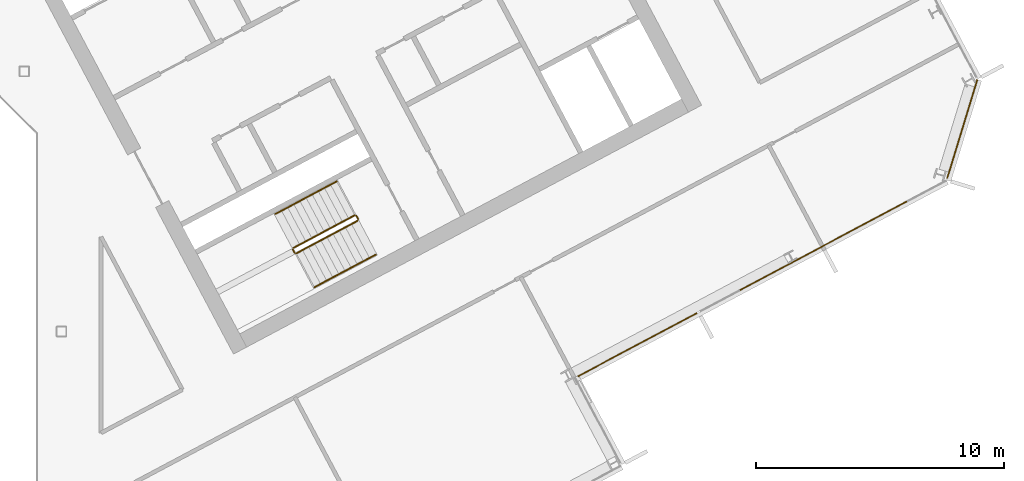
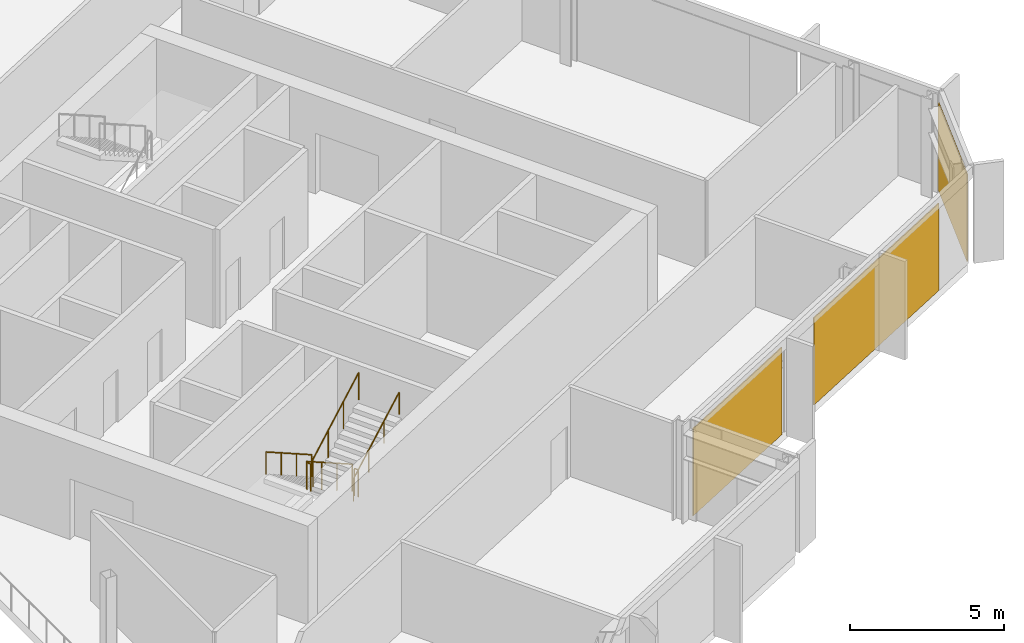
# One storey, part 25 of 27: 6 railings, 3 coverings, 2 elements without a shape of their own.
"""IFC4 building model written with IfcOpenShell, lengths in metres."""

from ifc_helpers import new_model, si_unit, direction, frame, origin, origin_2d, place, context, subcontext, project, spatial, polyline, rectangle, outline, extrude, material, layer, layer_set, type_object, element, aggregate, save


model = new_model("IFC4")

# Units and contexts
model_context = context("Model", 3, precision=1e-05, world=origin(), true_north=direction((0.0, 1.0)))
body_context = subcontext(model_context, "Body", "Model", "MODEL_VIEW")
ifc_project = project(units=[si_unit("LENGTHUNIT", "METRE"), si_unit("AREAUNIT", "SQUARE_METRE"), si_unit("VOLUMEUNIT", "CUBIC_METRE"), si_unit("PLANEANGLEUNIT", "RADIAN"), si_unit("MASSUNIT", "GRAM", prefix="KILO")], contexts=[model_context])

# Site, building, storey
site_placement = place(None, origin())
site = spatial("IfcSite", under=ifc_project, at=site_placement, CompositionType="ELEMENT")
building_placement = place(site_placement, origin())
building = spatial("IfcBuilding", under=site, at=building_placement, Name="Cormorant Relay Tower", CompositionType="ELEMENT")
storey_placement = place(building_placement, frame((0.0, 0.0, 240.300048828125)))
storey = spatial("IfcBuildingStorey", under=building, at=storey_placement, Name="L53", CompositionType="ELEMENT", Elevation=240.300048828125)

# Curtain wall, coverings
ifc_material_1 = material(Name="Aluminium 6063-T6 anodised bronze", Category="aluminium")
ifc_layer_1 = layer(ifc_material_1, 0.199951171875)
ifc_layer_set_1 = layer_set([ifc_layer_1], Name="CW1 unitised bronze curtain wall with vertical fins")
curtain_wall_type = type_object("IfcCurtainWallType", Name="CW1 unitised bronze curtain wall with vertical fins", PredefinedType="NOTDEFINED", material=ifc_layer_set_1)
curtain_wall_1_placement = place(storey_placement, origin())
curtain_wall_1 = element("IfcCurtainWall", 1, at=curtain_wall_1_placement, inside=storey, type_object=curtain_wall_type, Name="CW1 curtain wall 4", PredefinedType="NOTDEFINED")
ifc_material_2 = material(Name="Pale bronze anodised aluminium insulated panel", Category="aluminium")
ifc_layer_2 = layer(ifc_material_2, 0.0400390625)
ifc_layer_set_2 = layer_set([ifc_layer_2], Name="CW1 pale bronze insulated panel 40")
covering_type = type_object("IfcCoveringType", Name="CW1 pale bronze insulated panel 40", PredefinedType="CLADDING", material=ifc_layer_set_2)
covering_1_placement = place(storey_placement, frame((35.247802734375, -0.534912109375, 0.0), z_axis=(0.0, 0.0, 1.0), x_axis=(0.882947592859, 0.469471562786, 0.0)))
covering_1 = element("IfcCovering", 2, at=covering_1_placement, type_object=covering_type, Name="CW1 panel S00", PredefinedType="CLADDING", context=body_context, shape_type="SweptSolid", body=[
    extrude(rectangle(XDim=5.441650390625, YDim=0.0400390625, at=origin_2d()), origin(), (0.0, 0.0, 1.0), 3.449951171875),
])
covering_2_placement = place(storey_placement, frame((42.752685546875, 3.455810546875, 0.0), z_axis=(0.0, 0.0, 1.0), x_axis=(0.882947592859, 0.469471562786, 0.0)))
covering_2 = element("IfcCovering", 3, at=covering_2_placement, type_object=covering_type, Name="CW1 panel S02", PredefinedType="CLADDING", context=body_context, shape_type="SweptSolid", body=[
    extrude(rectangle(XDim=7.658203125, YDim=0.0400390625, at=origin_2d()), origin(), (0.0, 0.0, 1.0), 3.449951171875),
])
aggregate(curtain_wall_1, [covering_1, covering_2])

# Curtain wall, covering
curtain_wall_2_placement = place(storey_placement, origin())
curtain_wall_2 = element("IfcCurtainWall", 4, at=curtain_wall_2_placement, inside=storey, type_object=curtain_wall_type, Name="CW1 curtain wall 5", PredefinedType="NOTDEFINED")
covering_3_placement = place(storey_placement, frame((48.364013671875, 8.1748046875, 0.0), z_axis=(0.0, 0.0, 1.0), x_axis=(0.292371704723, 0.956304755963, 0.0)))
covering_3 = element("IfcCovering", 5, at=covering_3_placement, type_object=covering_type, Name="CW1 panel S00", PredefinedType="CLADDING", context=body_context, shape_type="SweptSolid", body=[
    extrude(rectangle(XDim=4.16748046875, YDim=0.0400390625, at=origin_2d()), origin(), (0.0, 0.0, 1.0), 3.449951171875),
])
aggregate(curtain_wall_2, [covering_3])

# Railings
ifc_material_3 = material(Name="Steel ASTM A572 Grade 50 (Fy 345 MPa)", Category="steel")
railing_type_1 = type_object("IfcRailingType", Name="Stair guard 1100", PredefinedType="GUARDRAIL", material=ifc_material_3)
railing_1_placement = place(storey_placement, frame((23.83837890625, 4.6904296875, 0.17724609375)))
element("IfcRailing", 6, at=railing_1_placement, inside=storey, type_object=railing_type_1, Name="L53 B1 stair guard 1", PredefinedType="GUARDRAIL", context=body_context, shape_type="SweptSolid", body=[
    extrude(outline(polyline([(0.022216796875, 0.00927734375), (0.00927734375, 0.022216796875), (-0.00927734375, 0.022216796875), (-0.022216796875, 0.00927734375), (-0.022216796875, -0.00927734375), (-0.00927734375, -0.022216796875), (0.00927734375, -0.022216796875), (0.022216796875, -0.00927734375), (0.022216796875, 0.00927734375)])), frame((0.0, 0.0, 1.076171875), z_axis=(-0.746033882577, -0.396627473466, 0.534901947407), x_axis=(0.469429322983, -0.882970050864, 0.0)), (0.0, 0.0, 1.0), 3.31396484375),
    extrude(outline(polyline([(0.019287109375, 0.008056640625), (0.008056640625, 0.019287109375), (-0.008056640625, 0.019287109375), (-0.019287109375, 0.008056640625), (-0.019287109375, -0.008056640625), (-0.008056640625, -0.019287109375), (0.008056640625, -0.019287109375), (0.019287109375, -0.008056640625), (0.019287109375, 0.008056640625)])), origin(), (0.0, 0.0, 1.0), 1.052001953125),
    extrude(outline(polyline([(0.019287109375, 0.008056640625), (0.008056640625, 0.019287109375), (-0.008056640625, 0.019287109375), (-0.019287109375, 0.008056640625), (-0.019287109375, -0.008056640625), (-0.008056640625, -0.019287109375), (0.008056640625, -0.019287109375), (0.019287109375, -0.008056640625), (0.019287109375, 0.008056640625)])), frame((-0.82421875, -0.438232421875, 0.5908203125)), (0.0, 0.0, 1.0), 1.052001953125),
    extrude(outline(polyline([(0.019287109375, 0.008056640625), (0.008056640625, 0.019287109375), (-0.008056640625, 0.019287109375), (-0.019287109375, 0.008056640625), (-0.019287109375, -0.008056640625), (-0.008056640625, -0.019287109375), (0.008056640625, -0.019287109375), (0.019287109375, -0.008056640625), (0.019287109375, 0.008056640625)])), frame((-1.648193359375, -0.876220703125, 1.181884765625)), (0.0, 0.0, 1.0), 1.052001953125),
    extrude(outline(polyline([(0.019287109375, 0.008056640625), (0.008056640625, 0.019287109375), (-0.008056640625, 0.019287109375), (-0.019287109375, 0.008056640625), (-0.019287109375, -0.008056640625), (-0.008056640625, -0.019287109375), (0.008056640625, -0.019287109375), (0.019287109375, -0.008056640625), (0.019287109375, 0.008056640625)])), frame((-2.472412109375, -1.314453125, 1.772705078125)), (0.0, 0.0, 1.0), 1.052001953125),
])
railing_2_placement = place(storey_placement, frame((21.345458984375, 3.308349609375, 1.949951171875)))
element("IfcRailing", 7, at=railing_2_placement, inside=storey, type_object=railing_type_1, Name="L53 B1 stair guard 2", PredefinedType="GUARDRAIL", context=body_context, shape_type="SweptSolid", body=[
    extrude(outline(polyline([(0.022216796875, 0.00927734375), (0.00927734375, 0.022216796875), (-0.00927734375, 0.022216796875), (-0.022216796875, 0.00927734375), (-0.022216796875, -0.00927734375), (-0.00927734375, -0.022216796875), (0.00927734375, -0.022216796875), (0.022216796875, -0.00927734375), (0.022216796875, 0.00927734375)])), frame((0.0, 0.0, 1.076171875), z_axis=(0.46856034887, -0.8834314911, 0.0), x_axis=(0.8834314911, 0.46856034887, 0.0)), (0.0, 0.0, 1.0), 0.150146484375),
    extrude(outline(polyline([(0.019287109375, 0.008056640625), (0.008056640625, 0.019287109375), (-0.008056640625, 0.019287109375), (-0.019287109375, 0.008056640625), (-0.019287109375, -0.008056640625), (-0.008056640625, -0.019287109375), (0.008056640625, -0.019287109375), (0.019287109375, -0.008056640625), (0.019287109375, 0.008056640625)])), origin(), (0.0, 0.0, 1.0), 1.052001953125),
    extrude(outline(polyline([(0.019287109375, 0.008056640625), (0.008056640625, 0.019287109375), (-0.008056640625, 0.019287109375), (-0.019287109375, 0.008056640625), (-0.019287109375, -0.008056640625), (-0.008056640625, -0.019287109375), (0.008056640625, -0.019287109375), (0.019287109375, -0.008056640625), (0.019287109375, 0.008056640625)])), frame((0.0703125, -0.132568359375, 0.0)), (0.0, 0.0, 1.0), 1.052001953125),
])
railing_3_placement = place(storey_placement, frame((21.4833984375, 3.1552734375, 2.127197265625)))
element("IfcRailing", 8, at=railing_3_placement, inside=storey, type_object=railing_type_1, Name="L53 B1 stair guard 3", PredefinedType="GUARDRAIL", context=body_context, shape_type="SweptSolid", body=[
    extrude(outline(polyline([(0.022216796875, 0.00927734375), (0.00927734375, 0.022216796875), (-0.00927734375, 0.022216796875), (-0.022216796875, 0.00927734375), (-0.022216796875, -0.00927734375), (-0.00927734375, -0.022216796875), (0.00927734375, -0.022216796875), (0.022216796875, -0.00927734375), (0.022216796875, 0.00927734375)])), frame((0.0, 0.0, 1.076171875), z_axis=(0.746001213114, 0.396649272309, 0.534931345884), x_axis=(-0.469465464807, 0.882950835185, 0.0)), (0.0, 0.0, 1.0), 3.31396484375),
    extrude(outline(polyline([(0.019287109375, 0.008056640625), (0.008056640625, 0.019287109375), (-0.008056640625, 0.019287109375), (-0.019287109375, 0.008056640625), (-0.019287109375, -0.008056640625), (-0.008056640625, -0.019287109375), (0.008056640625, -0.019287109375), (0.019287109375, -0.008056640625), (0.019287109375, 0.008056640625)])), origin(), (0.0, 0.0, 1.0), 1.052001953125),
    extrude(outline(polyline([(0.019287109375, 0.008056640625), (0.008056640625, 0.019287109375), (-0.008056640625, 0.019287109375), (-0.019287109375, 0.008056640625), (-0.019287109375, -0.008056640625), (-0.008056640625, -0.019287109375), (0.008056640625, -0.019287109375), (0.019287109375, -0.008056640625), (0.019287109375, 0.008056640625)])), frame((0.823974609375, 0.438232421875, 0.5908203125)), (0.0, 0.0, 1.0), 1.052001953125),
    extrude(outline(polyline([(0.019287109375, 0.008056640625), (0.008056640625, 0.019287109375), (-0.008056640625, 0.019287109375), (-0.019287109375, 0.008056640625), (-0.019287109375, -0.008056640625), (-0.008056640625, -0.019287109375), (0.008056640625, -0.019287109375), (0.019287109375, -0.008056640625), (0.019287109375, 0.008056640625)])), frame((1.648193359375, 0.876220703125, 1.181884765625)), (0.0, 0.0, 1.0), 1.052001953125),
    extrude(outline(polyline([(0.019287109375, 0.008056640625), (0.008056640625, 0.019287109375), (-0.008056640625, 0.019287109375), (-0.019287109375, 0.008056640625), (-0.019287109375, -0.008056640625), (-0.008056640625, -0.019287109375), (0.008056640625, -0.019287109375), (0.019287109375, -0.008056640625), (0.019287109375, 0.008056640625)])), frame((2.47216796875, 1.314453125, 1.772705078125)), (0.0, 0.0, 1.0), 1.052001953125),
])
railing_4_placement = place(storey_placement, frame((23.906005859375, 4.669677734375, 0.0)))
element("IfcRailing", 9, at=railing_4_placement, inside=storey, type_object=railing_type_1, Name="L53 B1 stair guard 4", PredefinedType="GUARDRAIL", context=body_context, shape_type="SweptSolid", body=[
    extrude(outline(polyline([(0.022216796875, 0.00927734375), (0.00927734375, 0.022216796875), (-0.00927734375, 0.022216796875), (-0.022216796875, 0.00927734375), (-0.022216796875, -0.00927734375), (-0.00927734375, -0.022216796875), (0.00927734375, -0.022216796875), (0.022216796875, -0.00927734375), (0.022216796875, 0.00927734375)])), frame((0.0, 0.0, 1.076171875), z_axis=(0.469234640946, -0.883073525669, 0.0), x_axis=(0.883073525669, 0.469234640946, 0.0)), (0.0, 0.0, 1.0), 0.14990234375),
    extrude(outline(polyline([(0.019287109375, 0.008056640625), (0.008056640625, 0.019287109375), (-0.008056640625, 0.019287109375), (-0.019287109375, 0.008056640625), (-0.019287109375, -0.008056640625), (-0.008056640625, -0.019287109375), (0.008056640625, -0.019287109375), (0.019287109375, -0.008056640625), (0.019287109375, 0.008056640625)])), origin(), (0.0, 0.0, 1.0), 1.052001953125),
    extrude(outline(polyline([(0.019287109375, 0.008056640625), (0.008056640625, 0.019287109375), (-0.008056640625, 0.019287109375), (-0.019287109375, 0.008056640625), (-0.019287109375, -0.008056640625), (-0.008056640625, -0.019287109375), (0.008056640625, -0.019287109375), (0.019287109375, -0.008056640625), (0.019287109375, 0.008056640625)])), frame((0.0703125, -0.13232421875, 0.0)), (0.0, 0.0, 1.0), 1.052001953125),
])
ifc_material_4 = material(Name="Steel ASTM A572 Grade 50 (Fy 345 MPa)", Category="steel")
railing_type_2 = type_object("IfcRailingType", Name="Stair handrail 900", PredefinedType="HANDRAIL", material=ifc_material_4)
railing_5_placement = place(storey_placement, frame((23.110595703125, 6.05908203125, 0.17724609375)))
element("IfcRailing", 10, at=railing_5_placement, inside=storey, type_object=railing_type_2, Name="L53 B1 stair handrail 1", PredefinedType="HANDRAIL", context=body_context, shape_type="SweptSolid", body=[
    extrude(outline(polyline([(0.022216796875, 0.00927734375), (0.00927734375, 0.022216796875), (-0.00927734375, 0.022216796875), (-0.022216796875, 0.00927734375), (-0.022216796875, -0.00927734375), (-0.00927734375, -0.022216796875), (0.00927734375, -0.022216796875), (0.022216796875, -0.00927734375), (0.022216796875, 0.00927734375)])), frame((0.0, 0.0, 0.8759765625), z_axis=(-0.745979412481, -0.396711350603, 0.534915713414), x_axis=(0.469533439143, -0.882914689835, 0.0)), (0.0, 0.0, 1.0), 3.31396484375),
    extrude(outline(polyline([(0.019287109375, 0.008056640625), (0.008056640625, 0.019287109375), (-0.008056640625, 0.019287109375), (-0.019287109375, 0.008056640625), (-0.019287109375, -0.008056640625), (-0.008056640625, -0.019287109375), (0.008056640625, -0.019287109375), (0.019287109375, -0.008056640625), (0.019287109375, 0.008056640625)])), origin(), (0.0, 0.0, 1.0), 0.851806640625),
    extrude(outline(polyline([(0.019287109375, 0.008056640625), (0.008056640625, 0.019287109375), (-0.008056640625, 0.019287109375), (-0.019287109375, 0.008056640625), (-0.019287109375, -0.008056640625), (-0.008056640625, -0.019287109375), (0.008056640625, -0.019287109375), (0.019287109375, -0.008056640625), (0.019287109375, 0.008056640625)])), frame((-0.823974609375, -0.438232421875, 0.5908203125)), (0.0, 0.0, 1.0), 0.851806640625),
    extrude(outline(polyline([(0.019287109375, 0.008056640625), (0.008056640625, 0.019287109375), (-0.008056640625, 0.019287109375), (-0.019287109375, 0.008056640625), (-0.019287109375, -0.008056640625), (-0.008056640625, -0.019287109375), (0.008056640625, -0.019287109375), (0.019287109375, -0.008056640625), (0.019287109375, 0.008056640625)])), frame((-1.648193359375, -0.87646484375, 1.181884765625)), (0.0, 0.0, 1.0), 0.851806640625),
    extrude(outline(polyline([(0.019287109375, 0.008056640625), (0.008056640625, 0.019287109375), (-0.008056640625, 0.019287109375), (-0.019287109375, 0.008056640625), (-0.019287109375, -0.008056640625), (-0.008056640625, -0.019287109375), (0.008056640625, -0.019287109375), (0.019287109375, -0.008056640625), (0.019287109375, 0.008056640625)])), frame((-2.47216796875, -1.314697265625, 1.772705078125)), (0.0, 0.0, 1.0), 0.851806640625),
])
railing_6_placement = place(storey_placement, frame((22.211181640625, 1.78662109375, 2.127197265625)))
element("IfcRailing", 11, at=railing_6_placement, inside=storey, type_object=railing_type_2, Name="L53 B1 stair handrail 2", PredefinedType="HANDRAIL", context=body_context, shape_type="SweptSolid", body=[
    extrude(outline(polyline([(0.022216796875, 0.00927734375), (0.00927734375, 0.022216796875), (-0.00927734375, 0.022216796875), (-0.022216796875, 0.00927734375), (-0.022216796875, -0.00927734375), (-0.00927734375, -0.022216796875), (0.00927734375, -0.022216796875), (0.022216796875, -0.00927734375), (0.022216796875, 0.00927734375)])), frame((0.0, 0.0, 0.8759765625), z_axis=(0.746001213114, 0.396649272309, 0.534931345884), x_axis=(-0.469465464807, 0.882950835185, 0.0)), (0.0, 0.0, 1.0), 3.31396484375),
    extrude(outline(polyline([(0.019287109375, 0.008056640625), (0.008056640625, 0.019287109375), (-0.008056640625, 0.019287109375), (-0.019287109375, 0.008056640625), (-0.019287109375, -0.008056640625), (-0.008056640625, -0.019287109375), (0.008056640625, -0.019287109375), (0.019287109375, -0.008056640625), (0.019287109375, 0.008056640625)])), origin(), (0.0, 0.0, 1.0), 0.851806640625),
    extrude(outline(polyline([(0.019287109375, 0.008056640625), (0.008056640625, 0.019287109375), (-0.008056640625, 0.019287109375), (-0.019287109375, 0.008056640625), (-0.019287109375, -0.008056640625), (-0.008056640625, -0.019287109375), (0.008056640625, -0.019287109375), (0.019287109375, -0.008056640625), (0.019287109375, 0.008056640625)])), frame((0.823974609375, 0.438232421875, 0.5908203125)), (0.0, 0.0, 1.0), 0.851806640625),
    extrude(outline(polyline([(0.019287109375, 0.008056640625), (0.008056640625, 0.019287109375), (-0.008056640625, 0.019287109375), (-0.019287109375, 0.008056640625), (-0.019287109375, -0.008056640625), (-0.008056640625, -0.019287109375), (0.008056640625, -0.019287109375), (0.019287109375, -0.008056640625), (0.019287109375, 0.008056640625)])), frame((1.648193359375, 0.876220703125, 1.181884765625)), (0.0, 0.0, 1.0), 0.851806640625),
    extrude(outline(polyline([(0.019287109375, 0.008056640625), (0.008056640625, 0.019287109375), (-0.008056640625, 0.019287109375), (-0.019287109375, 0.008056640625), (-0.019287109375, -0.008056640625), (-0.008056640625, -0.019287109375), (0.008056640625, -0.019287109375), (0.019287109375, -0.008056640625), (0.019287109375, 0.008056640625)])), frame((2.47216796875, 1.314453125, 1.772705078125)), (0.0, 0.0, 1.0), 0.851806640625),
])

save(model, "model.ifc")
